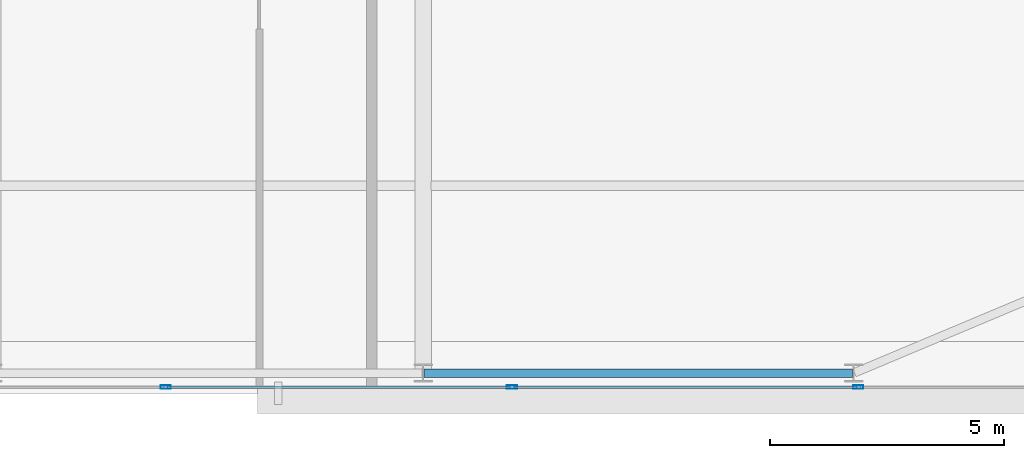
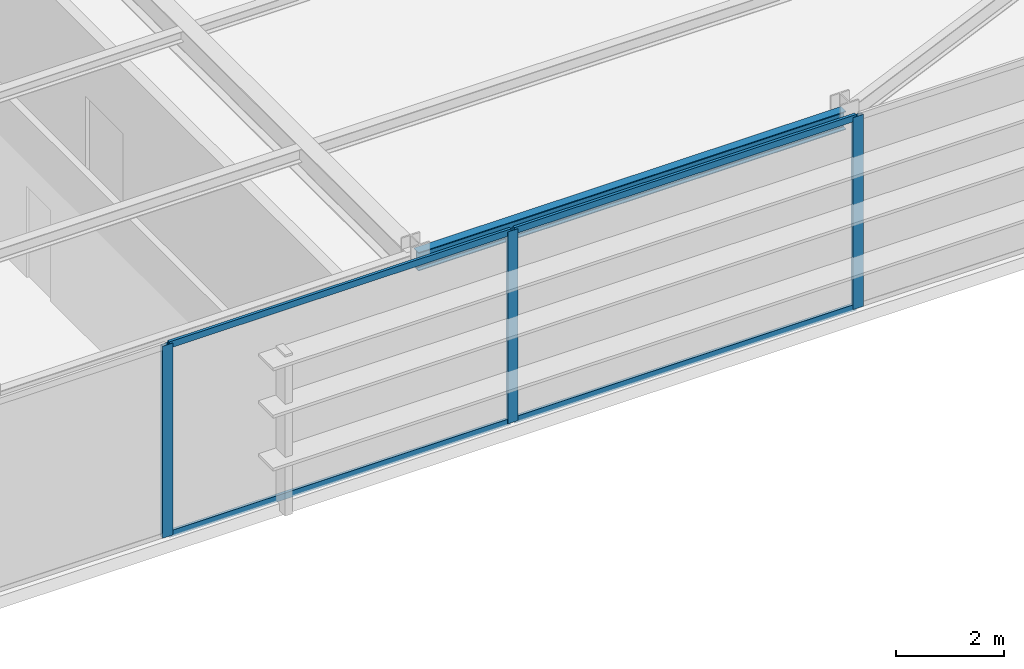
# One storey, part 15 of 32: 7 members, 1 beam, 1 element without a shape of its own.
"""IFC4 building model written with IfcOpenShell, lengths in metres."""

from ifc_helpers import new_model, si_unit, direction, frame, origin, origin_2d, place, context, subcontext, project, spatial, hollow_rectangle, i_section, extrude, source, transform, mapped, material, layer, layer_set, material_profile, profile_set, type_object, type_shapes, element, aggregate, save


model = new_model("IFC4")

# Units and contexts
model_context = context("Model", 3, precision=1e-05, world=origin(), true_north=direction((0.0, 1.0)))
body_context = subcontext(model_context, "Body", "Model", "MODEL_VIEW")
ifc_project = project(units=[si_unit("LENGTHUNIT", "METRE"), si_unit("AREAUNIT", "SQUARE_METRE"), si_unit("VOLUMEUNIT", "CUBIC_METRE"), si_unit("PLANEANGLEUNIT", "RADIAN"), si_unit("MASSUNIT", "GRAM", prefix="KILO")], contexts=[model_context])

# Site, building, storey
site_placement = place(None, origin())
site = spatial("IfcSite", under=ifc_project, at=site_placement, CompositionType="ELEMENT")
building_placement = place(site_placement, origin())
building = spatial("IfcBuilding", under=site, at=building_placement, Name="Varnel Quay Broadcast Tower", CompositionType="ELEMENT")
storey_placement = place(building_placement, frame((0.0, 0.0, 98.39990234375)))
storey = spatial("IfcBuildingStorey", under=building, at=storey_placement, Name="L23", CompositionType="ELEMENT", Elevation=98.39990234375)

# Beam
ifc_material_1 = material(Name="Structural Steel CSA G40.21 350W", Category="steel")
ifc_material_profile_1 = material_profile(ifc_material_1, i_section(OverallWidth=0.180908203125, OverallDepth=0.4169921875, WebThickness=0.010986328125, FlangeThickness=0.018310546875, FilletRadius=0.011962890625, at=origin_2d()), Name="W410X85")
ifc_profile_set_1 = profile_set([ifc_material_profile_1], Name="Structural Steel CSA G40.21 350W")
beam_type = type_object("IfcBeamType", Name="Beam_W410X85", PredefinedType="SPANDREL", material=ifc_profile_set_1)
shared_shape_1 = source(origin(), body_context, "Body", "SweptSolid", [
    extrude(i_section(OverallWidth=0.180908203125, OverallDepth=0.4169921875, WebThickness=0.010986328125, FlangeThickness=0.018310546875, FilletRadius=0.011962890625, at=origin_2d()), origin(), (0.0, 0.0, 1.0), 9.159912109375),
])
type_shapes(beam_type, [shared_shape_1])
beam_placement = place(storey_placement, frame((43.219970703125, 4.64990234375, 4.1416015625), z_axis=(1.0, 0.0, 0.0), x_axis=(0.0, 1.0, 0.0)))
element("IfcBeam", 1, at=beam_placement, inside=storey, type_object=beam_type, Name="L23 South Spandrel TC-S4-TC-S5", PredefinedType="SPANDREL", context=body_context, shape_type="MappedRepresentation", body=[
    mapped(shared_shape_1, transform((0.0, 0.0, 0.0), x_axis=(1.0, 0.0, 0.0), y_axis=(0.0, 1.0, 0.0), z_axis=(0.0, 0.0, 1.0), scale=1.0)),
])

# Curtain wall, members
ifc_material_2 = material(Name="Anodised Bronze Aluminium 6063-T6", Category="aluminium")
ifc_layer = layer(ifc_material_2, 0.18994140625, Name="Anodised Bronze Aluminium 6063-T6")
ifc_layer_set = layer_set([ifc_layer], Name="Anodised Bronze Aluminium 6063-T6")
curtain_wall_type = type_object("IfcCurtainWallType", Name="CW_SkyObsHighVis", PredefinedType="NOTDEFINED", material=ifc_layer_set)
curtain_wall_placement = place(storey_placement, origin())
curtain_wall = element("IfcCurtainWall", 2, at=curtain_wall_placement, inside=storey, type_object=curtain_wall_type, Name="L23 South Unitised Curtain Wall 1", PredefinedType="NOTDEFINED")
ifc_material_profile_2 = material_profile(ifc_material_2, hollow_rectangle(XDim=0.074951171875, YDim=0.219970703125, WallThickness=0.00390625, at=origin_2d()), Name="ALU75X220X4")
ifc_profile_set_2 = profile_set([ifc_material_profile_2], Name="Anodised Bronze Aluminium 6063-T6")
member_type_1 = type_object("IfcMemberType", Name="Mull_CWS-05", PredefinedType="MULLION", material=ifc_profile_set_2)
shared_shape_2 = source(origin(), body_context, "Body", "SweptSolid", [
    extrude(hollow_rectangle(XDim=0.074951171875, YDim=0.219970703125, WallThickness=0.00390625, at=origin_2d()), origin(), (0.0, 0.0, 1.0), 4.35009765625),
])
type_shapes(member_type_1, [shared_shape_2])
member_1_placement = place(storey_placement, frame((37.699951171875, 4.35009765625, 0.0), z_axis=(0.0, 0.0, 1.0), x_axis=(0.0, 1.0, 0.0)))
member_1 = element("IfcMember", 3, at=member_1_placement, type_object=member_type_1, Name="CWS-05 mullion 5", PredefinedType="MULLION", context=body_context, shape_type="MappedRepresentation", body=[
    mapped(shared_shape_2, transform((0.0, 0.0, 0.0), x_axis=(1.0, 0.0, 0.0), y_axis=(0.0, 1.0, 0.0), z_axis=(0.0, 0.0, 1.0), scale=1.0)),
])
member_2_placement = place(storey_placement, frame((45.10009765625, 4.35009765625, 0.0), z_axis=(0.0, 0.0, 1.0), x_axis=(0.0, 1.0, 0.0)))
member_2 = element("IfcMember", 4, at=member_2_placement, type_object=member_type_1, Name="CWS-05 mullion 6", PredefinedType="MULLION", context=body_context, shape_type="MappedRepresentation", body=[
    mapped(shared_shape_2, transform((0.0, 0.0, 0.0), x_axis=(1.0, 0.0, 0.0), y_axis=(0.0, 1.0, 0.0), z_axis=(0.0, 0.0, 1.0), scale=1.0)),
])
member_3_placement = place(storey_placement, frame((52.5, 4.35009765625, 0.0), z_axis=(0.0, 0.0, 1.0), x_axis=(0.0, 1.0, 0.0)))
member_3 = element("IfcMember", 5, at=member_3_placement, type_object=member_type_1, Name="CWS-05 mullion 7", PredefinedType="MULLION", context=body_context, shape_type="MappedRepresentation", body=[
    mapped(shared_shape_2, transform((0.0, 0.0, 0.0), x_axis=(1.0, 0.0, 0.0), y_axis=(0.0, 1.0, 0.0), z_axis=(0.0, 0.0, 1.0), scale=1.0)),
])
ifc_material_profile_3 = material_profile(ifc_material_2, hollow_rectangle(XDim=0.06005859375, YDim=0.14501953125, WallThickness=0.00341796875, at=origin_2d()), Name="ALU60X145X3.5")
ifc_profile_set_3 = profile_set([ifc_material_profile_3], Name="Anodised Bronze Aluminium 6063-T6")
member_type_2 = type_object("IfcMemberType", Name="Tran_CWS-05", PredefinedType="USERDEFINED", material=ifc_profile_set_3)
shared_shape_3 = source(origin(), body_context, "Body", "SweptSolid", [
    extrude(hollow_rectangle(XDim=0.06005859375, YDim=0.14501953125, WallThickness=0.00341796875, at=origin_2d()), origin(), (0.0, 0.0, 1.0), 7.324951171875),
])
type_shapes(member_type_2, [shared_shape_3])
member_4_placement = place(storey_placement, frame((37.737548828125, 4.35009765625, 0.030029296875), z_axis=(1.0, 0.0, 0.0), x_axis=(0.0, 1.0, 0.0)))
member_4 = element("IfcMember", 6, at=member_4_placement, type_object=member_type_2, Name="CWS-05 transom 5.1", ObjectType="TRANSOM", PredefinedType="USERDEFINED", context=body_context, shape_type="MappedRepresentation", body=[
    mapped(shared_shape_3, transform((0.0, 0.0, 0.0), x_axis=(1.0, 0.0, 0.0), y_axis=(0.0, 1.0, 0.0), z_axis=(0.0, 0.0, 1.0), scale=1.0)),
])
member_5_placement = place(storey_placement, frame((37.737548828125, 4.35009765625, 4.320068359375), z_axis=(1.0, 0.0, 0.0), x_axis=(0.0, 1.0, 0.0)))
member_5 = element("IfcMember", 7, at=member_5_placement, type_object=member_type_2, Name="CWS-05 transom 5.2", ObjectType="TRANSOM", PredefinedType="USERDEFINED", context=body_context, shape_type="MappedRepresentation", body=[
    mapped(shared_shape_3, transform((0.0, 0.0, 0.0), x_axis=(1.0, 0.0, 0.0), y_axis=(0.0, 1.0, 0.0), z_axis=(0.0, 0.0, 1.0), scale=1.0)),
])
member_6_placement = place(storey_placement, frame((45.137451171875, 4.35009765625, 0.030029296875), z_axis=(1.0, 0.0, 0.0), x_axis=(0.0, 1.0, 0.0)))
member_6 = element("IfcMember", 8, at=member_6_placement, type_object=member_type_2, Name="CWS-05 transom 6.1", ObjectType="TRANSOM", PredefinedType="USERDEFINED", context=body_context, shape_type="MappedRepresentation", body=[
    mapped(shared_shape_3, transform((0.0, 0.0, 0.0), x_axis=(1.0, 0.0, 0.0), y_axis=(0.0, 1.0, 0.0), z_axis=(0.0, 0.0, 1.0), scale=1.0)),
])
member_7_placement = place(storey_placement, frame((45.137451171875, 4.35009765625, 4.320068359375), z_axis=(1.0, 0.0, 0.0), x_axis=(0.0, 1.0, 0.0)))
member_7 = element("IfcMember", 9, at=member_7_placement, type_object=member_type_2, Name="CWS-05 transom 6.2", ObjectType="TRANSOM", PredefinedType="USERDEFINED", context=body_context, shape_type="MappedRepresentation", body=[
    mapped(shared_shape_3, transform((0.0, 0.0, 0.0), x_axis=(1.0, 0.0, 0.0), y_axis=(0.0, 1.0, 0.0), z_axis=(0.0, 0.0, 1.0), scale=1.0)),
])
aggregate(curtain_wall, [member_1, member_2, member_3, member_4, member_5, member_6, member_7])

save(model, "model.ifc")
